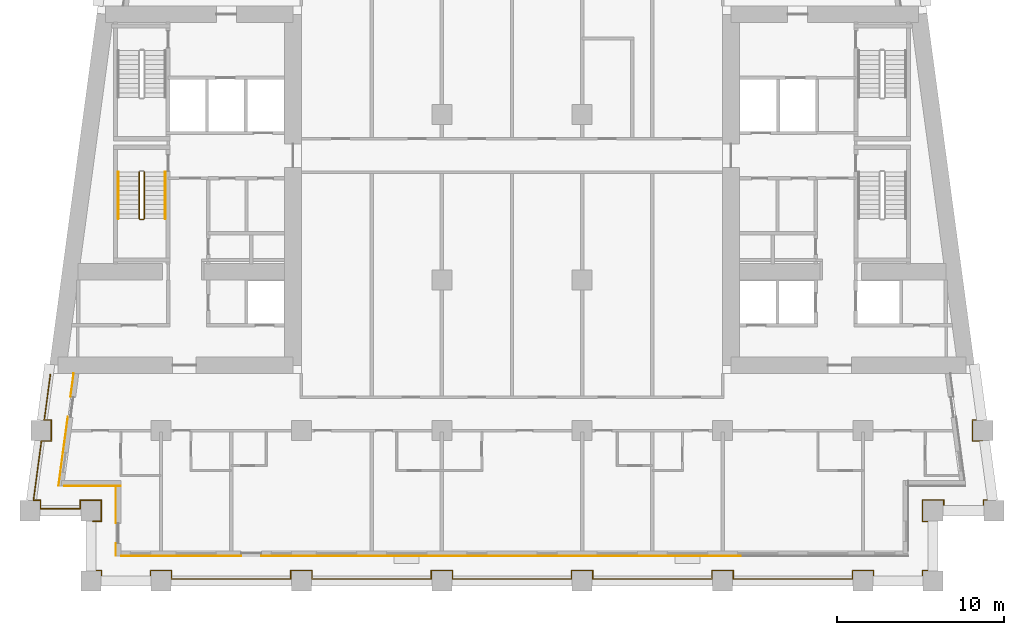
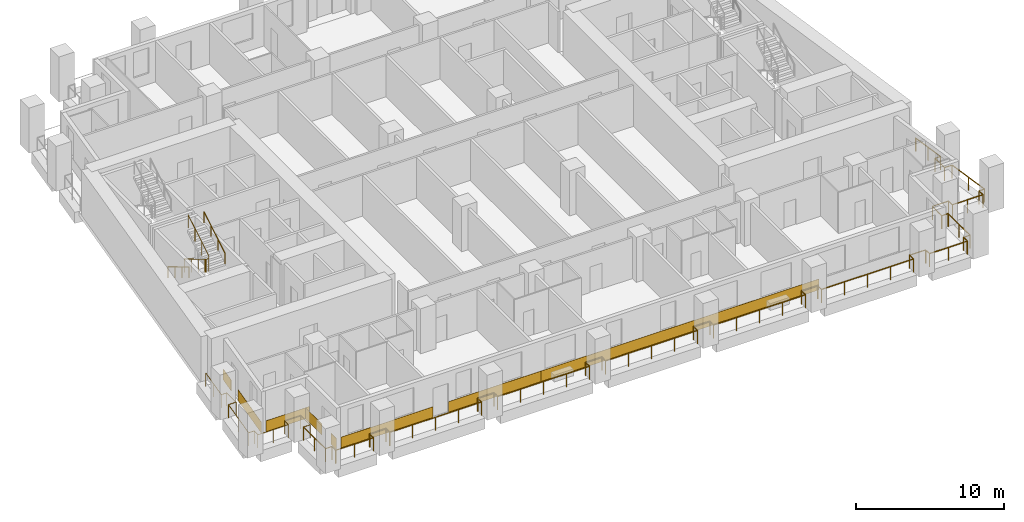
# One storey, part 9 of 13: 8 coverings, 5 railings.
"""IFC4 building model written with IfcOpenShell, lengths in metres."""

from ifc_helpers import new_model, si_unit, direction, frame, origin, origin_2d, place, context, subcontext, project, spatial, rectangle, circle, extrude, material, layer, layer_set, type_object, element, save


model = new_model("IFC4")

# Units and contexts
model_context = context("Model", 3, precision=1e-05, world=origin(), true_north=direction((0.0, 1.0)))
body_context = subcontext(model_context, "Body", "Model", "MODEL_VIEW")
ifc_project = project(units=[si_unit("LENGTHUNIT", "METRE"), si_unit("AREAUNIT", "SQUARE_METRE"), si_unit("VOLUMEUNIT", "CUBIC_METRE"), si_unit("PLANEANGLEUNIT", "RADIAN"), si_unit("MASSUNIT", "GRAM", prefix="KILO")], contexts=[model_context])

# Site, building, storey
site_placement = place(None, origin())
site = spatial("IfcSite", under=ifc_project, at=site_placement, CompositionType="ELEMENT")
building_placement = place(site_placement, origin())
building = spatial("IfcBuilding", under=site, at=building_placement, Name="Candeia Pilgrim Tower and Theatre", CompositionType="ELEMENT")
storey_placement = place(building_placement, frame((0.0, 0.0, 102.10009765625)))
storey = spatial("IfcBuildingStorey", under=building, at=storey_placement, Name="L23", CompositionType="ELEMENT", Elevation=102.10009765625)

# Railings
ifc_material_1 = material(Name="Stainless steel balustrade", Category="steel")
railing_type_1 = type_object("IfcRailingType", Name="G1 loggia guard 1100", PredefinedType="GUARDRAIL", material=ifc_material_1)
railing_1_placement = place(storey_placement, frame((88.320068359375, 101.570068359375, 0.0)))
element("IfcRailing", 1, at=railing_1_placement, inside=storey, type_object=railing_type_1, Name="Guard L23.1", PredefinedType="GUARDRAIL", context=body_context, shape_type="SweptSolid", body=[
    extrude(circle(Radius=0.02392578125, at=origin_2d()), frame((0.0, 0.0, 1.076171875), z_axis=(1.0, 0.0, 0.0), x_axis=(0.0, 1.0, 0.0)), (0.0, 0.0, 1.0), 0.510009765625),
    extrude(circle(Radius=0.02392578125, at=origin_2d()), frame((0.510009765625, 0.0, 1.076171875), z_axis=(0.0, 1.0, 0.0), x_axis=(-1.0, 0.0, 0.0)), (0.0, 0.0, 1.0), 1.260009765625),
    extrude(circle(Radius=0.02392578125, at=origin_2d()), frame((0.510009765625, 1.260009765625, 1.076171875), z_axis=(-1.0, 0.0, 0.0), x_axis=(0.0, -1.0, 0.0)), (0.0, 0.0, 1.0), 1.260009765625),
    extrude(circle(Radius=0.02392578125, at=origin_2d()), frame((-0.75, 1.260009765625, 1.076171875), z_axis=(0.0, -1.0, 0.0), x_axis=(1.0, 0.0, 0.0)), (0.0, 0.0, 1.0), 0.510009765625),
    extrude(circle(Radius=0.02392578125, at=origin_2d()), frame((-0.75, 0.75, 1.076171875), z_axis=(-1.0, 0.0, 0.0), x_axis=(0.0, -1.0, 0.0)), (0.0, 0.0, 1.0), 2.374755859375),
    extrude(circle(Radius=0.02392578125, at=origin_2d()), frame((-3.124755859375, 0.75, 1.076171875), z_axis=(0.0, 1.0, 0.0), x_axis=(-1.0, 0.0, 0.0)), (0.0, 0.0, 1.0), 0.510009765625),
    extrude(circle(Radius=0.02392578125, at=origin_2d()), frame((-3.124755859375, 1.260009765625, 1.076171875), z_axis=(-1.0, 0.0, 0.0), x_axis=(0.0, -1.0, 0.0)), (0.0, 0.0, 1.0), 0.424072265625),
    extrude(circle(Radius=0.02392578125, at=origin_2d()), frame((-3.548828125, 1.260009765625, 1.076171875), z_axis=(0.133417176173, 0.991059966451, 0.0), x_axis=(-0.991059966451, 0.133417176173, 0.0)), (0.0, 0.0, 1.0), 3.572021484375),
    extrude(circle(Radius=0.02392578125, at=origin_2d()), frame((-3.072265625, 4.800048828125, 1.076171875), z_axis=(1.0, 0.0, 0.0), x_axis=(0.0, 1.0, 0.0)), (0.0, 0.0, 1.0), 0.59375),
    extrude(circle(Radius=0.02392578125, at=origin_2d()), frame((-2.478515625, 4.800048828125, 1.076171875), z_axis=(0.0, 1.0, 0.0), x_axis=(-1.0, 0.0, 0.0)), (0.0, 0.0, 1.0), 1.259765625),
    extrude(circle(Radius=0.02392578125, at=origin_2d()), frame((-2.478515625, 6.059814453125, 1.076171875), z_axis=(-1.0, 0.0, 0.0), x_axis=(0.0, -1.0, 0.0)), (0.0, 0.0, 1.0), 0.424072265625),
    extrude(circle(Radius=0.02392578125, at=origin_2d()), frame((-2.902587890625, 6.059814453125, 1.076171875), z_axis=(0.1334220927, 0.991059304572, 0.0), x_axis=(-0.991059304572, 0.1334220927, 0.0)), (0.0, 0.0, 1.0), 2.744873046875),
    extrude(circle(Radius=0.02099609375, at=origin_2d()), origin(), (0.0, 0.0, 1.0), 1.052001953125),
    extrude(circle(Radius=0.02099609375, at=origin_2d()), frame((0.510009765625, 0.0, 0.0)), (0.0, 0.0, 1.0), 1.052001953125),
    extrude(circle(Radius=0.02099609375, at=origin_2d()), frame((0.510009765625, 1.260009765625, 0.0)), (0.0, 0.0, 1.0), 1.052001953125),
    extrude(circle(Radius=0.02099609375, at=origin_2d()), frame((-0.75, 1.260009765625, 0.0)), (0.0, 0.0, 1.0), 1.052001953125),
    extrude(circle(Radius=0.02099609375, at=origin_2d()), frame((-0.75, 0.75, 0.0)), (0.0, 0.0, 1.0), 1.052001953125),
    extrude(circle(Radius=0.02099609375, at=origin_2d()), frame((-1.9375, 0.75, 0.0)), (0.0, 0.0, 1.0), 1.052001953125),
    extrude(circle(Radius=0.02099609375, at=origin_2d()), frame((-3.124755859375, 0.75, 0.0)), (0.0, 0.0, 1.0), 1.052001953125),
    extrude(circle(Radius=0.02099609375, at=origin_2d()), frame((-3.124755859375, 1.260009765625, 0.0)), (0.0, 0.0, 1.0), 1.052001953125),
    extrude(circle(Radius=0.02099609375, at=origin_2d()), frame((-3.548828125, 1.260009765625, 0.0)), (0.0, 0.0, 1.0), 1.052001953125),
    extrude(circle(Radius=0.02099609375, at=origin_2d()), frame((-3.310546875, 3.030029296875, 0.0)), (0.0, 0.0, 1.0), 1.052001953125),
    extrude(circle(Radius=0.02099609375, at=origin_2d()), frame((-3.072265625, 4.800048828125, 0.0)), (0.0, 0.0, 1.0), 1.052001953125),
    extrude(circle(Radius=0.02099609375, at=origin_2d()), frame((-2.478515625, 4.800048828125, 0.0)), (0.0, 0.0, 1.0), 1.052001953125),
    extrude(circle(Radius=0.02099609375, at=origin_2d()), frame((-2.478515625, 6.059814453125, 0.0)), (0.0, 0.0, 1.0), 1.052001953125),
    extrude(circle(Radius=0.02099609375, at=origin_2d()), frame((-2.902587890625, 6.059814453125, 0.0)), (0.0, 0.0, 1.0), 1.052001953125),
    extrude(circle(Radius=0.02099609375, at=origin_2d()), frame((-2.719482421875, 7.419921875, 0.0)), (0.0, 0.0, 1.0), 1.052001953125),
    extrude(circle(Radius=0.02099609375, at=origin_2d()), frame((-2.536376953125, 8.780029296875, 0.0)), (0.0, 0.0, 1.0), 1.052001953125),
])
railing_2_placement = place(storey_placement, frame((141.016357421875, 110.35009765625, 0.0)))
element("IfcRailing", 2, at=railing_2_placement, inside=storey, type_object=railing_type_1, Name="Guard L23.4", PredefinedType="GUARDRAIL", context=body_context, shape_type="SweptSolid", body=[
    extrude(circle(Radius=0.02392578125, at=origin_2d()), frame((0.0, 0.0, 1.076171875), z_axis=(0.1334220927, -0.991059304572, 0.0), x_axis=(0.991059304572, 0.1334220927, 0.0)), (0.0, 0.0, 1.0), 2.744873046875),
    extrude(circle(Radius=0.02392578125, at=origin_2d()), frame((0.3662109375, -2.72021484375, 1.076171875), z_axis=(-1.0, 0.0, 0.0), x_axis=(0.0, -1.0, 0.0)), (0.0, 0.0, 1.0), 0.424072265625),
    extrude(circle(Radius=0.02392578125, at=origin_2d()), frame((-0.057861328125, -2.72021484375, 1.076171875), z_axis=(0.0, -1.0, 0.0), x_axis=(1.0, 0.0, 0.0)), (0.0, 0.0, 1.0), 1.259765625),
    extrude(circle(Radius=0.02392578125, at=origin_2d()), frame((-0.057861328125, -3.97998046875, 1.076171875), z_axis=(1.0, 0.0, 0.0), x_axis=(0.0, 1.0, 0.0)), (0.0, 0.0, 1.0), 0.59375),
    extrude(circle(Radius=0.02392578125, at=origin_2d()), frame((0.535888671875, -3.97998046875, 1.076171875), z_axis=(0.133417176173, -0.991059966451, 0.0), x_axis=(0.991059966451, 0.133417176173, 0.0)), (0.0, 0.0, 1.0), 3.572021484375),
    extrude(circle(Radius=0.02392578125, at=origin_2d()), frame((1.012451171875, -7.52001953125, 1.076171875), z_axis=(-1.0, 0.0, 0.0), x_axis=(0.0, -1.0, 0.0)), (0.0, 0.0, 1.0), 0.424072265625),
    extrude(circle(Radius=0.02392578125, at=origin_2d()), frame((0.58837890625, -7.52001953125, 1.076171875), z_axis=(0.0, -1.0, 0.0), x_axis=(1.0, 0.0, 0.0)), (0.0, 0.0, 1.0), 0.510009765625),
    extrude(circle(Radius=0.02392578125, at=origin_2d()), frame((0.58837890625, -8.030029296875, 1.076171875), z_axis=(-1.0, 0.0, 0.0), x_axis=(0.0, -1.0, 0.0)), (0.0, 0.0, 1.0), 2.374755859375),
    extrude(circle(Radius=0.02392578125, at=origin_2d()), frame((-1.786376953125, -8.030029296875, 1.076171875), z_axis=(0.0, 1.0, 0.0), x_axis=(-1.0, 0.0, 0.0)), (0.0, 0.0, 1.0), 0.510009765625),
    extrude(circle(Radius=0.02392578125, at=origin_2d()), frame((-1.786376953125, -7.52001953125, 1.076171875), z_axis=(-1.0, 0.0, 0.0), x_axis=(0.0, -1.0, 0.0)), (0.0, 0.0, 1.0), 1.260009765625),
    extrude(circle(Radius=0.02392578125, at=origin_2d()), frame((-3.04638671875, -7.52001953125, 1.076171875), z_axis=(0.0, -1.0, 0.0), x_axis=(1.0, 0.0, 0.0)), (0.0, 0.0, 1.0), 1.260009765625),
    extrude(circle(Radius=0.02392578125, at=origin_2d()), frame((-3.04638671875, -8.780029296875, 1.076171875), z_axis=(1.0, 0.0, 0.0), x_axis=(0.0, 1.0, 0.0)), (0.0, 0.0, 1.0), 0.510009765625),
    extrude(circle(Radius=0.02392578125, at=origin_2d()), frame((-2.536376953125, -8.780029296875, 1.076171875), z_axis=(0.0, -1.0, 0.0), x_axis=(1.0, 0.0, 0.0)), (0.0, 0.0, 1.0), 2.940185546875),
    extrude(circle(Radius=0.02392578125, at=origin_2d()), frame((-2.536376953125, -11.72021484375, 1.076171875), z_axis=(-1.0, 0.0, 0.0), x_axis=(0.0, -1.0, 0.0)), (0.0, 0.0, 1.0), 0.510009765625),
    extrude(circle(Radius=0.02392578125, at=origin_2d()), frame((-3.04638671875, -11.72021484375, 1.076171875), z_axis=(0.0, -1.0, 0.0), x_axis=(1.0, 0.0, 0.0)), (0.0, 0.0, 1.0), 0.509765625),
    extrude(circle(Radius=0.02392578125, at=origin_2d()), frame((-3.04638671875, -12.22998046875, 1.076171875), z_axis=(-1.0, 0.0, 0.0), x_axis=(0.0, -1.0, 0.0)), (0.0, 0.0, 1.0), 2.93994140625),
    extrude(circle(Radius=0.02392578125, at=origin_2d()), frame((-5.986328125, -12.22998046875, 1.076171875), z_axis=(0.0, 1.0, 0.0), x_axis=(-1.0, 0.0, 0.0)), (0.0, 0.0, 1.0), 0.509765625),
    extrude(circle(Radius=0.02392578125, at=origin_2d()), frame((-5.986328125, -11.72021484375, 1.076171875), z_axis=(-1.0, 0.0, 0.0), x_axis=(0.0, -1.0, 0.0)), (0.0, 0.0, 1.0), 1.260009765625),
    extrude(circle(Radius=0.02392578125, at=origin_2d()), frame((-7.246337890625, -11.72021484375, 1.076171875), z_axis=(0.0, -1.0, 0.0), x_axis=(1.0, 0.0, 0.0)), (0.0, 0.0, 1.0), 0.509765625),
    extrude(circle(Radius=0.02392578125, at=origin_2d()), frame((-7.246337890625, -12.22998046875, 1.076171875), z_axis=(-1.0, 0.0, 0.0), x_axis=(0.0, -1.0, 0.0)), (0.0, 0.0, 1.0), 7.14013671875),
    extrude(circle(Radius=0.02392578125, at=origin_2d()), frame((-14.386474609375, -12.22998046875, 1.076171875), z_axis=(0.0, 1.0, 0.0), x_axis=(-1.0, 0.0, 0.0)), (0.0, 0.0, 1.0), 0.509765625),
    extrude(circle(Radius=0.02392578125, at=origin_2d()), frame((-14.386474609375, -11.72021484375, 1.076171875), z_axis=(-1.0, 0.0, 0.0), x_axis=(0.0, -1.0, 0.0)), (0.0, 0.0, 1.0), 1.259765625),
    extrude(circle(Radius=0.02392578125, at=origin_2d()), frame((-15.646240234375, -11.72021484375, 1.076171875), z_axis=(0.0, -1.0, 0.0), x_axis=(1.0, 0.0, 0.0)), (0.0, 0.0, 1.0), 0.509765625),
    extrude(circle(Radius=0.02392578125, at=origin_2d()), frame((-15.646240234375, -12.22998046875, 1.076171875), z_axis=(-1.0, 0.0, 0.0), x_axis=(0.0, -1.0, 0.0)), (0.0, 0.0, 1.0), 7.14013671875),
    extrude(circle(Radius=0.02392578125, at=origin_2d()), frame((-22.786376953125, -12.22998046875, 1.076171875), z_axis=(0.0, 1.0, 0.0), x_axis=(-1.0, 0.0, 0.0)), (0.0, 0.0, 1.0), 0.509765625),
    extrude(circle(Radius=0.02392578125, at=origin_2d()), frame((-22.786376953125, -11.72021484375, 1.076171875), z_axis=(-1.0, 0.0, 0.0), x_axis=(0.0, -1.0, 0.0)), (0.0, 0.0, 1.0), 1.260009765625),
    extrude(circle(Radius=0.02392578125, at=origin_2d()), frame((-24.04638671875, -11.72021484375, 1.076171875), z_axis=(0.0, -1.0, 0.0), x_axis=(1.0, 0.0, 0.0)), (0.0, 0.0, 1.0), 0.509765625),
    extrude(circle(Radius=0.02392578125, at=origin_2d()), frame((-24.04638671875, -12.22998046875, 1.076171875), z_axis=(-1.0, 0.0, 0.0), x_axis=(0.0, -1.0, 0.0)), (0.0, 0.0, 1.0), 7.139892578125),
    extrude(circle(Radius=0.02392578125, at=origin_2d()), frame((-31.186279296875, -12.22998046875, 1.076171875), z_axis=(0.0, 1.0, 0.0), x_axis=(-1.0, 0.0, 0.0)), (0.0, 0.0, 1.0), 0.509765625),
    extrude(circle(Radius=0.02392578125, at=origin_2d()), frame((-31.186279296875, -11.72021484375, 1.076171875), z_axis=(-1.0, 0.0, 0.0), x_axis=(0.0, -1.0, 0.0)), (0.0, 0.0, 1.0), 1.260009765625),
    extrude(circle(Radius=0.02392578125, at=origin_2d()), frame((-32.4462890625, -11.72021484375, 1.076171875), z_axis=(0.0, -1.0, 0.0), x_axis=(1.0, 0.0, 0.0)), (0.0, 0.0, 1.0), 0.509765625),
    extrude(circle(Radius=0.02392578125, at=origin_2d()), frame((-32.4462890625, -12.22998046875, 1.076171875), z_axis=(-1.0, 0.0, 0.0), x_axis=(0.0, -1.0, 0.0)), (0.0, 0.0, 1.0), 7.14013671875),
    extrude(circle(Radius=0.02392578125, at=origin_2d()), frame((-39.58642578125, -12.22998046875, 1.076171875), z_axis=(0.0, 1.0, 0.0), x_axis=(-1.0, 0.0, 0.0)), (0.0, 0.0, 1.0), 0.509765625),
    extrude(circle(Radius=0.02392578125, at=origin_2d()), frame((-39.58642578125, -11.72021484375, 1.076171875), z_axis=(-1.0, 0.0, 0.0), x_axis=(0.0, -1.0, 0.0)), (0.0, 0.0, 1.0), 1.260009765625),
    extrude(circle(Radius=0.02392578125, at=origin_2d()), frame((-40.846435546875, -11.72021484375, 1.076171875), z_axis=(0.0, -1.0, 0.0), x_axis=(1.0, 0.0, 0.0)), (0.0, 0.0, 1.0), 0.509765625),
    extrude(circle(Radius=0.02392578125, at=origin_2d()), frame((-40.846435546875, -12.22998046875, 1.076171875), z_axis=(-1.0, 0.0, 0.0), x_axis=(0.0, -1.0, 0.0)), (0.0, 0.0, 1.0), 7.139892578125),
    extrude(circle(Radius=0.02392578125, at=origin_2d()), frame((-47.986328125, -12.22998046875, 1.076171875), z_axis=(0.0, 1.0, 0.0), x_axis=(-1.0, 0.0, 0.0)), (0.0, 0.0, 1.0), 0.509765625),
    extrude(circle(Radius=0.02392578125, at=origin_2d()), frame((-47.986328125, -11.72021484375, 1.076171875), z_axis=(-1.0, 0.0, 0.0), x_axis=(0.0, -1.0, 0.0)), (0.0, 0.0, 1.0), 1.260009765625),
    extrude(circle(Radius=0.02392578125, at=origin_2d()), frame((-49.246337890625, -11.72021484375, 1.076171875), z_axis=(0.0, -1.0, 0.0), x_axis=(1.0, 0.0, 0.0)), (0.0, 0.0, 1.0), 0.509765625),
    extrude(circle(Radius=0.02392578125, at=origin_2d()), frame((-49.246337890625, -12.22998046875, 1.076171875), z_axis=(-1.0, 0.0, 0.0), x_axis=(0.0, -1.0, 0.0)), (0.0, 0.0, 1.0), 2.93994140625),
    extrude(circle(Radius=0.02392578125, at=origin_2d()), frame((-52.186279296875, -12.22998046875, 1.076171875), z_axis=(0.0, 1.0, 0.0), x_axis=(-1.0, 0.0, 0.0)), (0.0, 0.0, 1.0), 0.509765625),
    extrude(circle(Radius=0.02392578125, at=origin_2d()), frame((-52.186279296875, -11.72021484375, 1.076171875), z_axis=(-1.0, 0.0, 0.0), x_axis=(0.0, -1.0, 0.0)), (0.0, 0.0, 1.0), 0.510009765625),
    extrude(circle(Radius=0.02392578125, at=origin_2d()), frame((-52.6962890625, -11.72021484375, 1.076171875), z_axis=(0.0, 1.0, 0.0), x_axis=(-1.0, 0.0, 0.0)), (0.0, 0.0, 1.0), 2.940185546875),
    extrude(circle(Radius=0.02099609375, at=origin_2d()), origin(), (0.0, 0.0, 1.0), 1.052001953125),
    extrude(circle(Radius=0.02099609375, at=origin_2d()), frame((0.18310546875, -1.360107421875, 0.0)), (0.0, 0.0, 1.0), 1.052001953125),
    extrude(circle(Radius=0.02099609375, at=origin_2d()), frame((0.3662109375, -2.72021484375, 0.0)), (0.0, 0.0, 1.0), 1.052001953125),
    extrude(circle(Radius=0.02099609375, at=origin_2d()), frame((-0.057861328125, -2.72021484375, 0.0)), (0.0, 0.0, 1.0), 1.052001953125),
    extrude(circle(Radius=0.02099609375, at=origin_2d()), frame((-0.057861328125, -3.97998046875, 0.0)), (0.0, 0.0, 1.0), 1.052001953125),
    extrude(circle(Radius=0.02099609375, at=origin_2d()), frame((0.535888671875, -3.97998046875, 0.0)), (0.0, 0.0, 1.0), 1.052001953125),
    extrude(circle(Radius=0.02099609375, at=origin_2d()), frame((0.774169921875, -5.75, 0.0)), (0.0, 0.0, 1.0), 1.052001953125),
    extrude(circle(Radius=0.02099609375, at=origin_2d()), frame((1.012451171875, -7.52001953125, 0.0)), (0.0, 0.0, 1.0), 1.052001953125),
    extrude(circle(Radius=0.02099609375, at=origin_2d()), frame((0.58837890625, -7.52001953125, 0.0)), (0.0, 0.0, 1.0), 1.052001953125),
    extrude(circle(Radius=0.02099609375, at=origin_2d()), frame((0.58837890625, -8.030029296875, 0.0)), (0.0, 0.0, 1.0), 1.052001953125),
    extrude(circle(Radius=0.02099609375, at=origin_2d()), frame((-0.59912109375, -8.030029296875, 0.0)), (0.0, 0.0, 1.0), 1.052001953125),
    extrude(circle(Radius=0.02099609375, at=origin_2d()), frame((-1.786376953125, -8.030029296875, 0.0)), (0.0, 0.0, 1.0), 1.052001953125),
    extrude(circle(Radius=0.02099609375, at=origin_2d()), frame((-1.786376953125, -7.52001953125, 0.0)), (0.0, 0.0, 1.0), 1.052001953125),
    extrude(circle(Radius=0.02099609375, at=origin_2d()), frame((-3.04638671875, -7.52001953125, 0.0)), (0.0, 0.0, 1.0), 1.052001953125),
    extrude(circle(Radius=0.02099609375, at=origin_2d()), frame((-3.04638671875, -8.780029296875, 0.0)), (0.0, 0.0, 1.0), 1.052001953125),
    extrude(circle(Radius=0.02099609375, at=origin_2d()), frame((-2.536376953125, -8.780029296875, 0.0)), (0.0, 0.0, 1.0), 1.052001953125),
    extrude(circle(Radius=0.02099609375, at=origin_2d()), frame((-2.536376953125, -10.25, 0.0)), (0.0, 0.0, 1.0), 1.052001953125),
    extrude(circle(Radius=0.02099609375, at=origin_2d()), frame((-2.536376953125, -11.72021484375, 0.0)), (0.0, 0.0, 1.0), 1.052001953125),
    extrude(circle(Radius=0.02099609375, at=origin_2d()), frame((-3.04638671875, -11.72021484375, 0.0)), (0.0, 0.0, 1.0), 1.052001953125),
    extrude(circle(Radius=0.02099609375, at=origin_2d()), frame((-3.04638671875, -12.22998046875, 0.0)), (0.0, 0.0, 1.0), 1.052001953125),
    extrude(circle(Radius=0.02099609375, at=origin_2d()), frame((-4.516357421875, -12.22998046875, 0.0)), (0.0, 0.0, 1.0), 1.052001953125),
    extrude(circle(Radius=0.02099609375, at=origin_2d()), frame((-5.986328125, -12.22998046875, 0.0)), (0.0, 0.0, 1.0), 1.052001953125),
    extrude(circle(Radius=0.02099609375, at=origin_2d()), frame((-5.986328125, -11.72021484375, 0.0)), (0.0, 0.0, 1.0), 1.052001953125),
    extrude(circle(Radius=0.02099609375, at=origin_2d()), frame((-7.246337890625, -11.72021484375, 0.0)), (0.0, 0.0, 1.0), 1.052001953125),
    extrude(circle(Radius=0.02099609375, at=origin_2d()), frame((-7.246337890625, -12.22998046875, 0.0)), (0.0, 0.0, 1.0), 1.052001953125),
    extrude(circle(Radius=0.02099609375, at=origin_2d()), frame((-9.03125, -12.22998046875, 0.0)), (0.0, 0.0, 1.0), 1.052001953125),
    extrude(circle(Radius=0.02099609375, at=origin_2d()), frame((-10.81640625, -12.22998046875, 0.0)), (0.0, 0.0, 1.0), 1.052001953125),
    extrude(circle(Radius=0.02099609375, at=origin_2d()), frame((-12.6015625, -12.22998046875, 0.0)), (0.0, 0.0, 1.0), 1.052001953125),
    extrude(circle(Radius=0.02099609375, at=origin_2d()), frame((-14.386474609375, -12.22998046875, 0.0)), (0.0, 0.0, 1.0), 1.052001953125),
    extrude(circle(Radius=0.02099609375, at=origin_2d()), frame((-14.386474609375, -11.72021484375, 0.0)), (0.0, 0.0, 1.0), 1.052001953125),
    extrude(circle(Radius=0.02099609375, at=origin_2d()), frame((-15.646240234375, -11.72021484375, 0.0)), (0.0, 0.0, 1.0), 1.052001953125),
    extrude(circle(Radius=0.02099609375, at=origin_2d()), frame((-15.646240234375, -12.22998046875, 0.0)), (0.0, 0.0, 1.0), 1.052001953125),
    extrude(circle(Radius=0.02099609375, at=origin_2d()), frame((-17.43115234375, -12.22998046875, 0.0)), (0.0, 0.0, 1.0), 1.052001953125),
    extrude(circle(Radius=0.02099609375, at=origin_2d()), frame((-19.21630859375, -12.22998046875, 0.0)), (0.0, 0.0, 1.0), 1.052001953125),
    extrude(circle(Radius=0.02099609375, at=origin_2d()), frame((-21.00146484375, -12.22998046875, 0.0)), (0.0, 0.0, 1.0), 1.052001953125),
    extrude(circle(Radius=0.02099609375, at=origin_2d()), frame((-22.786376953125, -12.22998046875, 0.0)), (0.0, 0.0, 1.0), 1.052001953125),
    extrude(circle(Radius=0.02099609375, at=origin_2d()), frame((-22.786376953125, -11.72021484375, 0.0)), (0.0, 0.0, 1.0), 1.052001953125),
    extrude(circle(Radius=0.02099609375, at=origin_2d()), frame((-24.04638671875, -11.72021484375, 0.0)), (0.0, 0.0, 1.0), 1.052001953125),
    extrude(circle(Radius=0.02099609375, at=origin_2d()), frame((-24.04638671875, -12.22998046875, 0.0)), (0.0, 0.0, 1.0), 1.052001953125),
    extrude(circle(Radius=0.02099609375, at=origin_2d()), frame((-25.831298828125, -12.22998046875, 0.0)), (0.0, 0.0, 1.0), 1.052001953125),
    extrude(circle(Radius=0.02099609375, at=origin_2d()), frame((-27.6162109375, -12.22998046875, 0.0)), (0.0, 0.0, 1.0), 1.052001953125),
    extrude(circle(Radius=0.02099609375, at=origin_2d()), frame((-29.4013671875, -12.22998046875, 0.0)), (0.0, 0.0, 1.0), 1.052001953125),
    extrude(circle(Radius=0.02099609375, at=origin_2d()), frame((-31.186279296875, -12.22998046875, 0.0)), (0.0, 0.0, 1.0), 1.052001953125),
    extrude(circle(Radius=0.02099609375, at=origin_2d()), frame((-31.186279296875, -11.72021484375, 0.0)), (0.0, 0.0, 1.0), 1.052001953125),
    extrude(circle(Radius=0.02099609375, at=origin_2d()), frame((-32.4462890625, -11.72021484375, 0.0)), (0.0, 0.0, 1.0), 1.052001953125),
    extrude(circle(Radius=0.02099609375, at=origin_2d()), frame((-32.4462890625, -12.22998046875, 0.0)), (0.0, 0.0, 1.0), 1.052001953125),
    extrude(circle(Radius=0.02099609375, at=origin_2d()), frame((-34.2314453125, -12.22998046875, 0.0)), (0.0, 0.0, 1.0), 1.052001953125),
    extrude(circle(Radius=0.02099609375, at=origin_2d()), frame((-36.016357421875, -12.22998046875, 0.0)), (0.0, 0.0, 1.0), 1.052001953125),
    extrude(circle(Radius=0.02099609375, at=origin_2d()), frame((-37.80126953125, -12.22998046875, 0.0)), (0.0, 0.0, 1.0), 1.052001953125),
    extrude(circle(Radius=0.02099609375, at=origin_2d()), frame((-39.58642578125, -12.22998046875, 0.0)), (0.0, 0.0, 1.0), 1.052001953125),
    extrude(circle(Radius=0.02099609375, at=origin_2d()), frame((-39.58642578125, -11.72021484375, 0.0)), (0.0, 0.0, 1.0), 1.052001953125),
    extrude(circle(Radius=0.02099609375, at=origin_2d()), frame((-40.846435546875, -11.72021484375, 0.0)), (0.0, 0.0, 1.0), 1.052001953125),
    extrude(circle(Radius=0.02099609375, at=origin_2d()), frame((-40.846435546875, -12.22998046875, 0.0)), (0.0, 0.0, 1.0), 1.052001953125),
    extrude(circle(Radius=0.02099609375, at=origin_2d()), frame((-42.63134765625, -12.22998046875, 0.0)), (0.0, 0.0, 1.0), 1.052001953125),
    extrude(circle(Radius=0.02099609375, at=origin_2d()), frame((-44.41650390625, -12.22998046875, 0.0)), (0.0, 0.0, 1.0), 1.052001953125),
    extrude(circle(Radius=0.02099609375, at=origin_2d()), frame((-46.201416015625, -12.22998046875, 0.0)), (0.0, 0.0, 1.0), 1.052001953125),
    extrude(circle(Radius=0.02099609375, at=origin_2d()), frame((-47.986328125, -12.22998046875, 0.0)), (0.0, 0.0, 1.0), 1.052001953125),
    extrude(circle(Radius=0.02099609375, at=origin_2d()), frame((-47.986328125, -11.72021484375, 0.0)), (0.0, 0.0, 1.0), 1.052001953125),
    extrude(circle(Radius=0.02099609375, at=origin_2d()), frame((-49.246337890625, -11.72021484375, 0.0)), (0.0, 0.0, 1.0), 1.052001953125),
    extrude(circle(Radius=0.02099609375, at=origin_2d()), frame((-49.246337890625, -12.22998046875, 0.0)), (0.0, 0.0, 1.0), 1.052001953125),
    extrude(circle(Radius=0.02099609375, at=origin_2d()), frame((-50.71630859375, -12.22998046875, 0.0)), (0.0, 0.0, 1.0), 1.052001953125),
    extrude(circle(Radius=0.02099609375, at=origin_2d()), frame((-52.186279296875, -12.22998046875, 0.0)), (0.0, 0.0, 1.0), 1.052001953125),
    extrude(circle(Radius=0.02099609375, at=origin_2d()), frame((-52.186279296875, -11.72021484375, 0.0)), (0.0, 0.0, 1.0), 1.052001953125),
    extrude(circle(Radius=0.02099609375, at=origin_2d()), frame((-52.6962890625, -11.72021484375, 0.0)), (0.0, 0.0, 1.0), 1.052001953125),
    extrude(circle(Radius=0.02099609375, at=origin_2d()), frame((-52.6962890625, -10.25, 0.0)), (0.0, 0.0, 1.0), 1.052001953125),
    extrude(circle(Radius=0.02099609375, at=origin_2d()), frame((-52.6962890625, -8.780029296875, 0.0)), (0.0, 0.0, 1.0), 1.052001953125),
])

# Coverings
ifc_material_2 = material(Name="Glazed ceramic tile red")
ifc_layer_1 = layer(ifc_material_2, 0.02001953125)
ifc_layer_set_1 = layer_set([ifc_layer_1], Name="Glazed ceramic tile red")
covering_type_1 = type_object("IfcCoveringType", Name="Glazed ceramic tile red", PredefinedType="CLADDING", material=ifc_layer_set_1)
covering_1_placement = place(storey_placement, frame((93.610107421875, 99.489990234375, 0.0), z_axis=(0.0, 0.0, 1.0), x_axis=(1.0, 0.0, 0.0)))
element("IfcCovering", 3, at=covering_1_placement, inside=storey, type_object=covering_type_1, Name="Tile cladding red L23", PredefinedType="CLADDING", context=body_context, shape_type="SweptSolid", body=[
    extrude(rectangle(XDim=7.179931640625, YDim=0.02001953125, at=origin_2d()), origin(), (0.0, 0.0, 1.0), 0.89990234375),
])
covering_2_placement = place(storey_placement, frame((102.0, 99.489990234375, 0.0), z_axis=(0.0, 0.0, 1.0), x_axis=(1.0, 0.0, 0.0)))
element("IfcCovering", 4, at=covering_2_placement, inside=storey, type_object=covering_type_1, Name="Tile cladding red L23", PredefinedType="CLADDING", context=body_context, shape_type="SweptSolid", body=[
    extrude(rectangle(XDim=7.199951171875, YDim=0.02001953125, at=origin_2d()), origin(), (0.0, 0.0, 1.0), 0.89990234375),
])
covering_3_placement = place(storey_placement, frame((87.0810546875, 109.71875, 0.0), z_axis=(0.0, 0.0, 1.0), x_axis=(-0.133412012145, -0.991060661622, 0.0)))
element("IfcCovering", 5, at=covering_3_placement, inside=storey, type_object=covering_type_1, Name="Tile cladding red L23", PredefinedType="CLADDING", context=body_context, shape_type="SweptSolid", body=[
    extrude(rectangle(XDim=1.41796875, YDim=0.02001953125, at=origin_2d()), origin(), (0.0, 0.0, 1.0), 0.89990234375),
])
covering_4_placement = place(storey_placement, frame((86.548583984375, 105.763916015625, 0.0), z_axis=(0.0, 0.0, 1.0), x_axis=(-0.133412012145, -0.991060661622, 0.0)))
element("IfcCovering", 6, at=covering_4_placement, inside=storey, type_object=covering_type_1, Name="Tile cladding red L23", PredefinedType="CLADDING", context=body_context, shape_type="SweptSolid", body=[
    extrude(rectangle(XDim=4.16259765625, YDim=0.02001953125, at=origin_2d()), origin(), (0.0, 0.0, 1.0), 0.89990234375),
])
covering_5_placement = place(storey_placement, frame((88.311279296875, 103.68994140625, 0.0), z_axis=(0.0, 0.0, 1.0), x_axis=(1.0, 0.0, 0.0)))
element("IfcCovering", 7, at=covering_5_placement, inside=storey, type_object=covering_type_1, Name="Tile cladding red L23", PredefinedType="CLADDING", context=body_context, shape_type="SweptSolid", body=[
    extrude(rectangle(XDim=3.377685546875, YDim=0.02001953125, at=origin_2d()), origin(), (0.0, 0.0, 1.0), 0.89990234375),
])
covering_6_placement = place(storey_placement, frame((89.68994140625, 102.56494140625, 0.0), z_axis=(0.0, 0.0, 1.0), x_axis=(0.0, -1.0, 0.0)))
element("IfcCovering", 8, at=covering_6_placement, inside=storey, type_object=covering_type_1, Name="Tile cladding red L23", PredefinedType="CLADDING", context=body_context, shape_type="SweptSolid", body=[
    extrude(rectangle(XDim=2.22998046875, YDim=0.02001953125, at=origin_2d()), origin(), (0.0, 0.0, 1.0), 0.89990234375),
])
covering_7_placement = place(storey_placement, frame((89.68994140625, 99.875, 0.0), z_axis=(0.0, 0.0, 1.0), x_axis=(0.0, -1.0, 0.0)))
element("IfcCovering", 9, at=covering_7_placement, inside=storey, type_object=covering_type_1, Name="Tile cladding red L23", PredefinedType="CLADDING", context=body_context, shape_type="SweptSolid", body=[
    extrude(rectangle(XDim=0.75, YDim=0.02001953125, at=origin_2d()), origin(), (0.0, 0.0, 1.0), 0.89990234375),
])
ifc_material_3 = material(Name="Glazed ceramic tile rust")
ifc_layer_2 = layer(ifc_material_3, 0.02001953125)
ifc_layer_set_2 = layer_set([ifc_layer_2], Name="Glazed ceramic tile rust")
covering_type_2 = type_object("IfcCoveringType", Name="Glazed ceramic tile rust", PredefinedType="CLADDING", material=ifc_layer_set_2)
covering_8_placement = place(storey_placement, frame((116.39990234375, 99.489990234375, 0.0), z_axis=(0.0, 0.0, 1.0), x_axis=(1.0, 0.0, 0.0)))
element("IfcCovering", 10, at=covering_8_placement, inside=storey, type_object=covering_type_2, Name="Tile cladding rust L23", PredefinedType="CLADDING", context=body_context, shape_type="SweptSolid", body=[
    extrude(rectangle(XDim=21.60009765625, YDim=0.02001953125, at=origin_2d()), origin(), (0.0, 0.0, 1.0), 0.89990234375),
])

# Railings
railing_type_2 = type_object("IfcRailingType", Name="RL-GUARD-1100", PredefinedType="GUARDRAIL", material=ifc_material_1)
railing_3_placement = place(storey_placement, frame((91.10205078125, 122.47509765625, 0.16796875)))
element("IfcRailing", 11, at=railing_3_placement, inside=storey, type_object=railing_type_2, Name="L23 ST1 stair guard 1", PredefinedType="GUARDRAIL", context=body_context, shape_type="SweptSolid", body=[
    extrude(circle(Radius=0.02392578125, at=origin_2d()), frame((0.0, 0.0, 1.076171875), z_axis=(0.0, -0.857242210791, 0.514913383045), x_axis=(1.0, 0.0, 0.0)), (0.0, 0.0, 1.0), 3.266357421875),
    extrude(circle(Radius=0.02392578125, at=origin_2d()), frame((0.0, -2.800048828125, 2.7578125), z_axis=(0.707106781187, -0.707106781187, 0.0), x_axis=(0.707106781187, 0.707106781187, 0.0)), (0.0, 0.0, 1.0), 0.07080078125),
    extrude(circle(Radius=0.02392578125, at=origin_2d()), frame((0.050048828125, -2.85009765625, 2.7578125), z_axis=(1.0, 0.0, 0.0), x_axis=(0.0, 1.0, 0.0)), (0.0, 0.0, 1.0), 0.199951171875),
    extrude(circle(Radius=0.02392578125, at=origin_2d()), frame((0.25, -2.85009765625, 2.7578125), z_axis=(0.274243871929, 0.274243871929, 0.92172696468), x_axis=(-0.707106781187, 0.707106781187, 0.0)), (0.0, 0.0, 1.0), 0.1826171875),
    extrude(circle(Radius=0.02392578125, at=origin_2d()), frame((0.300048828125, -2.800048828125, 2.92626953125), z_axis=(0.0, 0.857242210791, 0.514913383045), x_axis=(-1.0, 0.0, 0.0)), (0.0, 0.0, 1.0), 3.266357421875),
    extrude(circle(Radius=0.02099609375, at=origin_2d()), origin(), (0.0, 0.0, 1.0), 1.052001953125),
    extrude(circle(Radius=0.02099609375, at=origin_2d()), frame((0.0, -0.933349609375, 0.560546875)), (0.0, 0.0, 1.0), 1.052001953125),
    extrude(circle(Radius=0.02099609375, at=origin_2d()), frame((0.0, -1.86669921875, 1.121337890625)), (0.0, 0.0, 1.0), 1.052001953125),
    extrude(circle(Radius=0.02099609375, at=origin_2d()), frame((0.0, -2.800048828125, 1.681884765625)), (0.0, 0.0, 1.0), 1.052001953125),
    extrude(circle(Radius=0.02099609375, at=origin_2d()), frame((0.050048828125, -2.85009765625, 1.681884765625)), (0.0, 0.0, 1.0), 1.052001953125),
    extrude(circle(Radius=0.02099609375, at=origin_2d()), frame((0.25, -2.85009765625, 1.681884765625)), (0.0, 0.0, 1.0), 1.052001953125),
    extrude(circle(Radius=0.02099609375, at=origin_2d()), frame((0.300048828125, -2.800048828125, 1.85009765625)), (0.0, 0.0, 1.0), 1.052001953125),
    extrude(circle(Radius=0.02099609375, at=origin_2d()), frame((0.300048828125, -1.86669921875, 2.41064453125)), (0.0, 0.0, 1.0), 1.052001953125),
    extrude(circle(Radius=0.02099609375, at=origin_2d()), frame((0.300048828125, -0.933349609375, 2.971435546875)), (0.0, 0.0, 1.0), 1.052001953125),
    extrude(circle(Radius=0.02099609375, at=origin_2d()), frame((0.300048828125, 0.0, 3.531982421875)), (0.0, 0.0, 1.0), 1.052001953125),
])
ifc_material_4 = material(Name="Stainless steel handrail", Category="steel")
railing_type_3 = type_object("IfcRailingType", Name="RL-HANDRAIL-900", PredefinedType="HANDRAIL", material=ifc_material_4)
railing_4_placement = place(storey_placement, frame((89.85205078125, 122.47509765625, 0.16796875)))
element("IfcRailing", 12, at=railing_4_placement, inside=storey, type_object=railing_type_3, Name="L23 ST1 stair handrail 1", PredefinedType="HANDRAIL", context=body_context, shape_type="SweptSolid", body=[
    extrude(circle(Radius=0.02392578125, at=origin_2d()), frame((0.0, 0.0, 0.8759765625), z_axis=(0.0, -0.857242210791, 0.514913383045), x_axis=(1.0, 0.0, 0.0)), (0.0, 0.0, 1.0), 3.266357421875),
    extrude(circle(Radius=0.02099609375, at=origin_2d()), origin(), (0.0, 0.0, 1.0), 0.851806640625),
    extrude(circle(Radius=0.02099609375, at=origin_2d()), frame((0.0, -0.933349609375, 0.560546875)), (0.0, 0.0, 1.0), 0.851806640625),
    extrude(circle(Radius=0.02099609375, at=origin_2d()), frame((0.0, -1.86669921875, 1.121337890625)), (0.0, 0.0, 1.0), 0.851806640625),
    extrude(circle(Radius=0.02099609375, at=origin_2d()), frame((0.0, -2.800048828125, 1.681884765625)), (0.0, 0.0, 1.0), 0.851806640625),
])
railing_5_placement = place(storey_placement, frame((92.652099609375, 119.675048828125, 2.01806640625)))
element("IfcRailing", 13, at=railing_5_placement, inside=storey, type_object=railing_type_3, Name="L23 ST1 stair handrail 2", PredefinedType="HANDRAIL", context=body_context, shape_type="SweptSolid", body=[
    extrude(circle(Radius=0.02392578125, at=origin_2d()), frame((0.0, 0.0, 0.8759765625), z_axis=(0.0, 0.857242210791, 0.514913383045), x_axis=(-1.0, 0.0, 0.0)), (0.0, 0.0, 1.0), 3.266357421875),
    extrude(circle(Radius=0.02099609375, at=origin_2d()), origin(), (0.0, 0.0, 1.0), 0.851806640625),
    extrude(circle(Radius=0.02099609375, at=origin_2d()), frame((0.0, 0.933349609375, 0.560546875)), (0.0, 0.0, 1.0), 0.851806640625),
    extrude(circle(Radius=0.02099609375, at=origin_2d()), frame((0.0, 1.86669921875, 1.121337890625)), (0.0, 0.0, 1.0), 0.851806640625),
    extrude(circle(Radius=0.02099609375, at=origin_2d()), frame((0.0, 2.800048828125, 1.681884765625)), (0.0, 0.0, 1.0), 0.851806640625),
])

save(model, "model.ifc")
